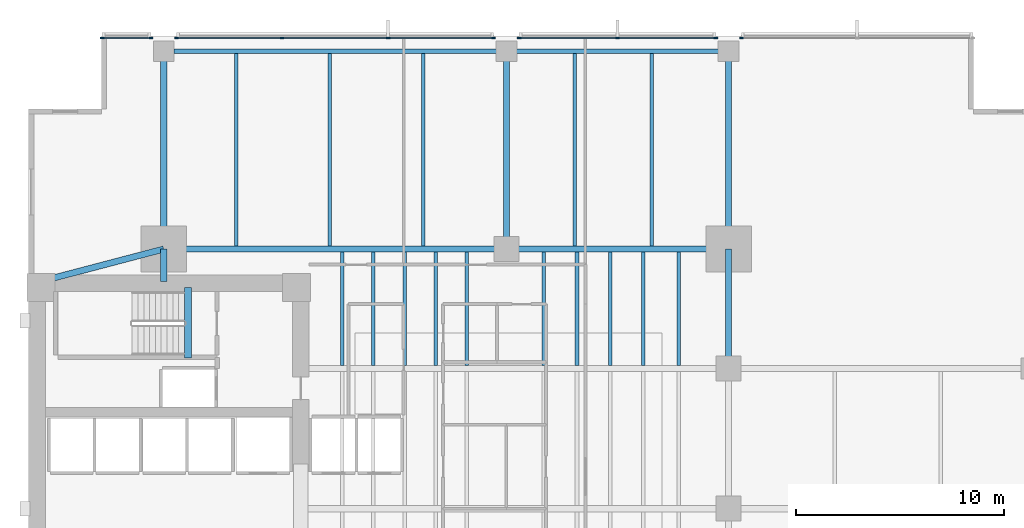
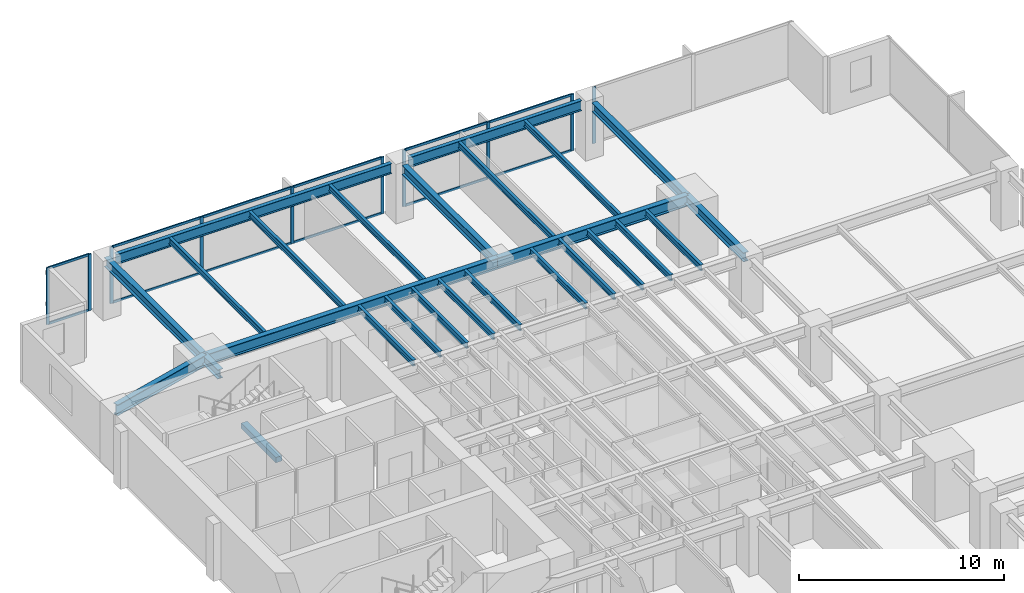
# One storey, part 5 of 15: 26 beams, 22 members, 4 elements without a shape of their own.
"""IFC4 building model written with IfcOpenShell, lengths in metres."""

from ifc_helpers import new_model, si_unit, direction, frame, origin, origin_2d, place, context, subcontext, project, spatial, rectangle, i_section, extrude, material, layer, layer_set, material_profile, profile_set, type_object, element, aggregate, save


model = new_model("IFC4")

# Units and contexts
model_context = context("Model", 3, precision=1e-05, world=origin(), true_north=direction((0.0, 1.0)))
body_context = subcontext(model_context, "Body", "Model", "MODEL_VIEW")
ifc_project = project(units=[si_unit("LENGTHUNIT", "METRE"), si_unit("AREAUNIT", "SQUARE_METRE"), si_unit("VOLUMEUNIT", "CUBIC_METRE"), si_unit("PLANEANGLEUNIT", "RADIAN"), si_unit("MASSUNIT", "GRAM", prefix="KILO")], contexts=[model_context])

# Site, building, storey
site_placement = place(None, origin())
site = spatial("IfcSite", under=ifc_project, at=site_placement, CompositionType="ELEMENT")
building_placement = place(site_placement, origin())
building = spatial("IfcBuilding", under=site, at=building_placement, Name="Kinhvarn Gate Tower", CompositionType="ELEMENT")
storey_placement = place(building_placement, frame((0.0, 0.0, 85.949951171875)))
storey = spatial("IfcBuildingStorey", under=building, at=storey_placement, Name="L22", CompositionType="ELEMENT", Elevation=85.949951171875)

# Beam
ifc_material_1 = material(Name="Concrete C50/60", Category="concrete")
ifc_material_profile_1 = material_profile(ifc_material_1, rectangle(XDim=0.340087890625, YDim=0.320068359375, at=origin_2d()), Name="RC 340x320")
ifc_profile_set_1 = profile_set([ifc_material_profile_1], Name="Concrete C50/60")
beam_type_1 = type_object("IfcBeamType", Name="BM-LND-500", PredefinedType="BEAM", material=ifc_profile_set_1)
beam_1_placement = place(storey_placement, frame((12.1650390625, 32.5, -0.159912109375), z_axis=(0.0, 1.0, 0.0), x_axis=(-1.0, 0.0, 0.0)))
element("IfcBeam", 1, at=beam_1_placement, inside=storey, type_object=beam_type_1, Name="Stair ST2 Landing Nosing Beam (L22)", PredefinedType="BEAM", context=body_context, shape_type="SweptSolid", body=[
    extrude(rectangle(XDim=0.340087890625, YDim=0.320068359375, at=origin_2d()), origin(), (0.0, 0.0, 1.0), 3.39990234375),
])

# Curtain wall, member
ifc_material_2 = material(Name="Anodised aluminium AW-6063", Category="aluminium")
ifc_layer = layer(ifc_material_2, 0.179931640625)
ifc_layer_set = layer_set([ifc_layer], Name="Anodised aluminium AW-6063")
curtain_wall_type = type_object("IfcCurtainWallType", Name="CW-SYS-2", PredefinedType="NOTDEFINED", material=ifc_layer_set)
curtain_wall_1_placement = place(storey_placement, origin())
curtain_wall_1 = element("IfcCurtainWall", 2, at=curtain_wall_1_placement, inside=storey, type_object=curtain_wall_type, Name="Curtain Wall CW2 (L22)", PredefinedType="NOTDEFINED")
ifc_material_profile_2 = material_profile(ifc_material_2, rectangle(XDim=0.070068359375, YDim=0.179931640625, at=origin_2d()), Name="ALU 70x180")
ifc_profile_set_2 = profile_set([ifc_material_profile_2], Name="Anodised aluminium AW-6063")
member_type_1 = type_object("IfcMemberType", Name="CW-MUL-180", PredefinedType="MULLION", material=ifc_profile_set_2)
member_1_placement = place(storey_placement, frame((38.81494140625, 47.909912109375, 0.0), z_axis=(0.0, 0.0, 1.0), x_axis=(0.0, -1.0, 0.0)))
member_1 = element("IfcMember", 3, at=member_1_placement, type_object=member_type_1, Name="CW2 mullion 3", PredefinedType="MULLION", context=body_context, shape_type="SweptSolid", body=[
    extrude(rectangle(XDim=0.070068359375, YDim=0.179931640625, at=origin_2d()), origin(), (0.0, 0.0, 1.0), 3.3701171875),
])
aggregate(curtain_wall_1, [member_1])

# Curtain wall, members
curtain_wall_2_placement = place(storey_placement, origin())
curtain_wall_2 = element("IfcCurtainWall", 4, at=curtain_wall_2_placement, inside=storey, type_object=curtain_wall_type, Name="Curtain Wall CW2 (L22)", PredefinedType="NOTDEFINED")
member_2_placement = place(storey_placement, frame((37.5849609375, 47.909912109375, 0.0), z_axis=(0.0, 0.0, 1.0), x_axis=(0.0, -1.0, 0.0)))
member_2 = element("IfcMember", 5, at=member_2_placement, type_object=member_type_1, Name="CW2 mullion 1", PredefinedType="MULLION", context=body_context, shape_type="SweptSolid", body=[
    extrude(rectangle(XDim=0.070068359375, YDim=0.179931640625, at=origin_2d()), origin(), (0.0, 0.0, 1.0), 3.3701171875),
])
member_3_placement = place(storey_placement, frame((32.85009765625, 47.909912109375, 0.0), z_axis=(0.0, 0.0, 1.0), x_axis=(0.0, -1.0, 0.0)))
member_3 = element("IfcMember", 6, at=member_3_placement, type_object=member_type_1, Name="CW2 mullion 2", PredefinedType="MULLION", context=body_context, shape_type="SweptSolid", body=[
    extrude(rectangle(XDim=0.070068359375, YDim=0.179931640625, at=origin_2d()), origin(), (0.0, 0.0, 1.0), 3.3701171875),
])
member_4_placement = place(storey_placement, frame((28.114990234375, 47.909912109375, 0.0), z_axis=(0.0, 0.0, 1.0), x_axis=(0.0, -1.0, 0.0)))
member_4 = element("IfcMember", 7, at=member_4_placement, type_object=member_type_1, Name="CW2 mullion 3", PredefinedType="MULLION", context=body_context, shape_type="SweptSolid", body=[
    extrude(rectangle(XDim=0.070068359375, YDim=0.179931640625, at=origin_2d()), origin(), (0.0, 0.0, 1.0), 3.3701171875),
])

curtain_wall_3_placement = place(storey_placement, origin())
curtain_wall_3 = element("IfcCurtainWall", 8, at=curtain_wall_3_placement, inside=storey, type_object=curtain_wall_type, Name="Curtain Wall CW2 (L22)", PredefinedType="NOTDEFINED")
member_5_placement = place(storey_placement, frame((26.885009765625, 47.909912109375, 0.0), z_axis=(0.0, 0.0, 1.0), x_axis=(0.0, -1.0, 0.0)))
member_5 = element("IfcMember", 9, at=member_5_placement, type_object=member_type_1, Name="CW2 mullion 1", PredefinedType="MULLION", context=body_context, shape_type="SweptSolid", body=[
    extrude(rectangle(XDim=0.070068359375, YDim=0.179931640625, at=origin_2d()), origin(), (0.0, 0.0, 1.0), 3.3701171875),
])
member_6_placement = place(storey_placement, frame((21.806640625, 47.909912109375, 0.0), z_axis=(0.0, 0.0, 1.0), x_axis=(0.0, -1.0, 0.0)))
member_6 = element("IfcMember", 10, at=member_6_placement, type_object=member_type_1, Name="CW2 mullion 2", PredefinedType="MULLION", context=body_context, shape_type="SweptSolid", body=[
    extrude(rectangle(XDim=0.070068359375, YDim=0.179931640625, at=origin_2d()), origin(), (0.0, 0.0, 1.0), 3.3701171875),
])
member_7_placement = place(storey_placement, frame((16.693359375, 47.909912109375, 0.0), z_axis=(0.0, 0.0, 1.0), x_axis=(0.0, -1.0, 0.0)))
member_7 = element("IfcMember", 11, at=member_7_placement, type_object=member_type_1, Name="CW2 mullion 3", PredefinedType="MULLION", context=body_context, shape_type="SweptSolid", body=[
    extrude(rectangle(XDim=0.070068359375, YDim=0.179931640625, at=origin_2d()), origin(), (0.0, 0.0, 1.0), 3.3701171875),
])
member_8_placement = place(storey_placement, frame((11.614990234375, 47.909912109375, 0.0), z_axis=(0.0, 0.0, 1.0), x_axis=(0.0, -1.0, 0.0)))
member_8 = element("IfcMember", 12, at=member_8_placement, type_object=member_type_1, Name="CW2 mullion 4", PredefinedType="MULLION", context=body_context, shape_type="SweptSolid", body=[
    extrude(rectangle(XDim=0.070068359375, YDim=0.179931640625, at=origin_2d()), origin(), (0.0, 0.0, 1.0), 3.3701171875),
])

curtain_wall_4_placement = place(storey_placement, origin())
curtain_wall_4 = element("IfcCurtainWall", 13, at=curtain_wall_4_placement, inside=storey, type_object=curtain_wall_type, Name="Curtain Wall CW2 (L22)", PredefinedType="NOTDEFINED")
member_9_placement = place(storey_placement, frame((10.385009765625, 47.909912109375, 0.0), z_axis=(0.0, 0.0, 1.0), x_axis=(0.0, -1.0, 0.0)))
member_9 = element("IfcMember", 14, at=member_9_placement, type_object=member_type_1, Name="CW2 mullion 1", PredefinedType="MULLION", context=body_context, shape_type="SweptSolid", body=[
    extrude(rectangle(XDim=0.070068359375, YDim=0.179931640625, at=origin_2d()), origin(), (0.0, 0.0, 1.0), 3.3701171875),
])
member_10_placement = place(storey_placement, frame((8.034912109375, 47.909912109375, 0.0), z_axis=(0.0, 0.0, 1.0), x_axis=(0.0, -1.0, 0.0)))
member_10 = element("IfcMember", 15, at=member_10_placement, type_object=member_type_1, Name="CW2 mullion 2", PredefinedType="MULLION", context=body_context, shape_type="SweptSolid", body=[
    extrude(rectangle(XDim=0.070068359375, YDim=0.179931640625, at=origin_2d()), origin(), (0.0, 0.0, 1.0), 3.3701171875),
])

# Member
ifc_material_profile_3 = material_profile(ifc_material_2, rectangle(XDim=0.070068359375, YDim=0.139892578125, at=origin_2d()), Name="ALU 70x140")
ifc_profile_set_3 = profile_set([ifc_material_profile_3], Name="Anodised aluminium AW-6063")
member_type_2 = type_object("IfcMemberType", Name="CW-TRN-140", PredefinedType="USERDEFINED", material=ifc_profile_set_3)
member_11_placement = place(storey_placement, frame((37.550048828125, 47.909912109375, 0.03515625), z_axis=(-1.0, 0.0, 0.0), x_axis=(0.0, -1.0, 0.0)))
member_11 = element("IfcMember", 16, at=member_11_placement, type_object=member_type_2, Name="CW2 transom 1.1", ObjectType="TRANSOM", PredefinedType="USERDEFINED", context=body_context, shape_type="SweptSolid", body=[
    extrude(rectangle(XDim=0.070068359375, YDim=0.139892578125, at=origin_2d()), origin(), (0.0, 0.0, 1.0), 4.6650390625),
])

member_12_placement = place(storey_placement, frame((37.550048828125, 47.909912109375, 3.3349609375), z_axis=(-1.0, 0.0, 0.0), x_axis=(0.0, -1.0, 0.0)))
member_12 = element("IfcMember", 17, at=member_12_placement, type_object=member_type_2, Name="CW2 transom 1.2", ObjectType="TRANSOM", PredefinedType="USERDEFINED", context=body_context, shape_type="SweptSolid", body=[
    extrude(rectangle(XDim=0.070068359375, YDim=0.139892578125, at=origin_2d()), origin(), (0.0, 0.0, 1.0), 4.6650390625),
])

member_13_placement = place(storey_placement, frame((32.81494140625, 47.909912109375, 0.03515625), z_axis=(-1.0, 0.0, 0.0), x_axis=(0.0, -1.0, 0.0)))
member_13 = element("IfcMember", 18, at=member_13_placement, type_object=member_type_2, Name="CW2 transom 2.1", ObjectType="TRANSOM", PredefinedType="USERDEFINED", context=body_context, shape_type="SweptSolid", body=[
    extrude(rectangle(XDim=0.070068359375, YDim=0.139892578125, at=origin_2d()), origin(), (0.0, 0.0, 1.0), 4.6650390625),
])

member_14_placement = place(storey_placement, frame((32.81494140625, 47.909912109375, 3.3349609375), z_axis=(-1.0, 0.0, 0.0), x_axis=(0.0, -1.0, 0.0)))
member_14 = element("IfcMember", 19, at=member_14_placement, type_object=member_type_2, Name="CW2 transom 2.2", ObjectType="TRANSOM", PredefinedType="USERDEFINED", context=body_context, shape_type="SweptSolid", body=[
    extrude(rectangle(XDim=0.070068359375, YDim=0.139892578125, at=origin_2d()), origin(), (0.0, 0.0, 1.0), 4.6650390625),
])

aggregate(curtain_wall_2, [member_2, member_3, member_4, member_11, member_12, member_13, member_14])

member_15_placement = place(storey_placement, frame((26.85009765625, 47.909912109375, 0.03515625), z_axis=(-1.0, 0.0, 0.0), x_axis=(0.0, -1.0, 0.0)))
member_15 = element("IfcMember", 20, at=member_15_placement, type_object=member_type_2, Name="CW2 transom 1.1", ObjectType="TRANSOM", PredefinedType="USERDEFINED", context=body_context, shape_type="SweptSolid", body=[
    extrude(rectangle(XDim=0.070068359375, YDim=0.139892578125, at=origin_2d()), origin(), (0.0, 0.0, 1.0), 5.008544921875),
])

member_16_placement = place(storey_placement, frame((26.85009765625, 47.909912109375, 3.3349609375), z_axis=(-1.0, 0.0, 0.0), x_axis=(0.0, -1.0, 0.0)))
member_16 = element("IfcMember", 21, at=member_16_placement, type_object=member_type_2, Name="CW2 transom 1.2", ObjectType="TRANSOM", PredefinedType="USERDEFINED", context=body_context, shape_type="SweptSolid", body=[
    extrude(rectangle(XDim=0.070068359375, YDim=0.139892578125, at=origin_2d()), origin(), (0.0, 0.0, 1.0), 5.008544921875),
])

member_17_placement = place(storey_placement, frame((21.771728515625, 47.909912109375, 0.03515625), z_axis=(-1.0, 0.0, 0.0), x_axis=(0.0, -1.0, 0.0)))
member_17 = element("IfcMember", 22, at=member_17_placement, type_object=member_type_2, Name="CW2 transom 2.1", ObjectType="TRANSOM", PredefinedType="USERDEFINED", context=body_context, shape_type="SweptSolid", body=[
    extrude(rectangle(XDim=0.070068359375, YDim=0.139892578125, at=origin_2d()), origin(), (0.0, 0.0, 1.0), 5.04345703125),
])

member_18_placement = place(storey_placement, frame((21.771728515625, 47.909912109375, 3.3349609375), z_axis=(-1.0, 0.0, 0.0), x_axis=(0.0, -1.0, 0.0)))
member_18 = element("IfcMember", 23, at=member_18_placement, type_object=member_type_2, Name="CW2 transom 2.2", ObjectType="TRANSOM", PredefinedType="USERDEFINED", context=body_context, shape_type="SweptSolid", body=[
    extrude(rectangle(XDim=0.070068359375, YDim=0.139892578125, at=origin_2d()), origin(), (0.0, 0.0, 1.0), 5.04345703125),
])

member_19_placement = place(storey_placement, frame((16.658447265625, 47.909912109375, 0.03515625), z_axis=(-1.0, 0.0, 0.0), x_axis=(0.0, -1.0, 0.0)))
member_19 = element("IfcMember", 24, at=member_19_placement, type_object=member_type_2, Name="CW2 transom 3.1", ObjectType="TRANSOM", PredefinedType="USERDEFINED", context=body_context, shape_type="SweptSolid", body=[
    extrude(rectangle(XDim=0.070068359375, YDim=0.139892578125, at=origin_2d()), origin(), (0.0, 0.0, 1.0), 5.008544921875),
])

member_20_placement = place(storey_placement, frame((16.658447265625, 47.909912109375, 3.3349609375), z_axis=(-1.0, 0.0, 0.0), x_axis=(0.0, -1.0, 0.0)))
member_20 = element("IfcMember", 25, at=member_20_placement, type_object=member_type_2, Name="CW2 transom 3.2", ObjectType="TRANSOM", PredefinedType="USERDEFINED", context=body_context, shape_type="SweptSolid", body=[
    extrude(rectangle(XDim=0.070068359375, YDim=0.139892578125, at=origin_2d()), origin(), (0.0, 0.0, 1.0), 5.008544921875),
])

aggregate(curtain_wall_3, [member_5, member_6, member_7, member_8, member_15, member_16, member_17, member_18, member_19, member_20])

member_21_placement = place(storey_placement, frame((10.35009765625, 47.909912109375, 0.03515625), z_axis=(-1.0, 0.0, 0.0), x_axis=(0.0, -1.0, 0.0)))
member_21 = element("IfcMember", 26, at=member_21_placement, type_object=member_type_2, Name="CW2 transom 1.1", ObjectType="TRANSOM", PredefinedType="USERDEFINED", context=body_context, shape_type="SweptSolid", body=[
    extrude(rectangle(XDim=0.070068359375, YDim=0.139892578125, at=origin_2d()), origin(), (0.0, 0.0, 1.0), 2.280029296875),
])

member_22_placement = place(storey_placement, frame((10.35009765625, 47.909912109375, 3.3349609375), z_axis=(-1.0, 0.0, 0.0), x_axis=(0.0, -1.0, 0.0)))
member_22 = element("IfcMember", 27, at=member_22_placement, type_object=member_type_2, Name="CW2 transom 1.2", ObjectType="TRANSOM", PredefinedType="USERDEFINED", context=body_context, shape_type="SweptSolid", body=[
    extrude(rectangle(XDim=0.070068359375, YDim=0.139892578125, at=origin_2d()), origin(), (0.0, 0.0, 1.0), 2.280029296875),
])

aggregate(curtain_wall_4, [member_9, member_10, member_21, member_22])

# Beams
ifc_material_3 = material(Name="Steel S355", Category="steel")
ifc_material_profile_4 = material_profile(ifc_material_3, i_section(OverallWidth=0.300048828125, OverallDepth=0.550048828125, WebThickness=0.014892578125, FlangeThickness=0.029052734375, at=origin_2d()), Name="HEB 550")
ifc_profile_set_4 = profile_set([ifc_material_profile_4], Name="Steel S355")
beam_type_2 = type_object("IfcBeamType", Name="STL-HEB550", PredefinedType="BEAM", material=ifc_profile_set_4)
beam_2_placement = place(storey_placement, frame((11.0, 36.199951171875, 3.094970703125), z_axis=(0.0, 1.0, 0.0), x_axis=(-1.0, 0.0, 0.0)))
element("IfcBeam", 28, at=beam_2_placement, inside=storey, type_object=beam_type_2, Name="Floor Beam PG-15 (L22 MCW-CN)", PredefinedType="BEAM", context=body_context, shape_type="SweptSolid", body=[
    extrude(i_section(OverallWidth=0.300048828125, OverallDepth=0.550048828125, WebThickness=0.014892578125, FlangeThickness=0.029052734375, at=origin_2d()), origin(), (0.0, 0.0, 1.0), 1.550048828125),
])
beam_3_placement = place(storey_placement, frame((11.0, 37.75, 3.094970703125), z_axis=(0.0, 1.0, 0.0), x_axis=(-1.0, 0.0, 0.0)))
element("IfcBeam", 29, at=beam_3_placement, inside=storey, type_object=beam_type_2, Name="Floor Beam PG-15 (L22 MCW-N)", PredefinedType="BEAM", context=body_context, shape_type="SweptSolid", body=[
    extrude(i_section(OverallWidth=0.300048828125, OverallDepth=0.550048828125, WebThickness=0.014892578125, FlangeThickness=0.029052734375, at=origin_2d()), origin(), (0.0, 0.0, 1.0), 9.530029296875),
])
for number, where, z_axis, x_axis, name in (
    (30, (27.5, 37.75, 3.094970703125), (0.0, 1.0, 0.0), (-1.0, 0.0, 0.0), "Floor Beam PG-15 (L22 SP27-N-TIE)"),
    (31, (38.199951171875, 37.75, 3.094970703125), (0.0, 1.0, 0.0), (-1.0, 0.0, 0.0), "Floor Beam PG-15 (L22 MCE-N)"),
):
    element("IfcBeam", number, at=place(storey_placement, frame(where, z_axis=z_axis, x_axis=x_axis)), inside=storey, type_object=beam_type_2, Name=name, PredefinedType="BEAM", context=body_context, shape_type="SweptSolid", body=[
        extrude(i_section(OverallWidth=0.300048828125, OverallDepth=0.550048828125, WebThickness=0.014892578125, FlangeThickness=0.029052734375, at=origin_2d()), origin(), (0.0, 0.0, 1.0), 9.044921875),
    ])
beam_4_placement = place(storey_placement, frame((38.199951171875, 32.0, 3.094970703125), z_axis=(0.0, 1.0, 0.0), x_axis=(-1.0, 0.0, 0.0)))
element("IfcBeam", 32, at=beam_4_placement, inside=storey, type_object=beam_type_2, Name="Floor Beam PG-15 (L22 MG-E-32)", PredefinedType="BEAM", context=body_context, shape_type="SweptSolid", body=[
    extrude(i_section(OverallWidth=0.300048828125, OverallDepth=0.550048828125, WebThickness=0.014892578125, FlangeThickness=0.029052734375, at=origin_2d()), origin(), (0.0, 0.0, 1.0), 5.75),
])
ifc_material_profile_5 = material_profile(ifc_material_3, i_section(OverallWidth=0.300048828125, OverallDepth=0.64990234375, WebThickness=0.01611328125, FlangeThickness=0.031005859375, at=origin_2d()), Name="HEB 650")
ifc_profile_set_5 = profile_set([ifc_material_profile_5], Name="Steel S355")
beam_type_3 = type_object("IfcBeamType", Name="STL-HEB650", PredefinedType="BEAM", material=ifc_profile_set_5)
beam_5_placement = place(storey_placement, frame((11.0, 37.75, 3.045166015625), z_axis=(1.0, 0.0, 0.0), x_axis=(0.0, 1.0, 0.0)))
element("IfcBeam", 33, at=beam_5_placement, inside=storey, type_object=beam_type_3, Name="Floor Beam PG-17 (L22 MG-N1)", PredefinedType="BEAM", context=body_context, shape_type="SweptSolid", body=[
    extrude(i_section(OverallWidth=0.300048828125, OverallDepth=0.64990234375, WebThickness=0.01611328125, FlangeThickness=0.031005859375, at=origin_2d()), origin(), (0.0, 0.0, 1.0), 16.5),
])
beam_6_placement = place(storey_placement, frame((27.5, 37.75, 3.045166015625), z_axis=(1.0, 0.0, 0.0), x_axis=(0.0, 1.0, 0.0)))
element("IfcBeam", 34, at=beam_6_placement, inside=storey, type_object=beam_type_3, Name="Floor Beam PG-17 (L22 MG-N2)", PredefinedType="BEAM", context=body_context, shape_type="SweptSolid", body=[
    extrude(i_section(OverallWidth=0.300048828125, OverallDepth=0.64990234375, WebThickness=0.01611328125, FlangeThickness=0.031005859375, at=origin_2d()), origin(), (0.0, 0.0, 1.0), 10.699951171875),
])
beam_7_placement = place(storey_placement, frame((5.10009765625, 36.199951171875, 3.045166015625), z_axis=(0.967177623957, 0.254101246979, 0.0), x_axis=(-0.254101246979, 0.967177623957, 0.0)))
element("IfcBeam", 35, at=beam_7_placement, inside=storey, type_object=beam_type_3, Name="Floor Beam PG-17 (L22 MG-NW-DIAG)", PredefinedType="BEAM", context=body_context, shape_type="SweptSolid", body=[
    extrude(i_section(OverallWidth=0.300048828125, OverallDepth=0.64990234375, WebThickness=0.01611328125, FlangeThickness=0.031005859375, at=origin_2d()), origin(), (0.0, 0.0, 1.0), 6.10009765625),
])
ifc_material_profile_6 = material_profile(ifc_material_3, i_section(OverallWidth=0.169921875, OverallDepth=0.360107421875, WebThickness=0.008056640625, FlangeThickness=0.0126953125, at=origin_2d()), Name="IPE 360")
ifc_profile_set_6 = profile_set([ifc_material_profile_6], Name="Steel S355")
beam_type_4 = type_object("IfcBeamType", Name="STL-IPE360", PredefinedType="JOIST", material=ifc_profile_set_6)
for number, where, z_axis, x_axis, name in (
    (36, (19.60009765625, 32.14990234375, 3.18994140625), (0.0, 1.0, 0.0), (-1.0, 0.0, 0.0), "Floor Joist SB-04 (L22 JC-X196-3)"),
    (37, (21.10009765625, 32.14990234375, 3.18994140625), (0.0, 1.0, 0.0), (-1.0, 0.0, 0.0), "Floor Joist SB-04 (L22 JC-X211-3)"),
    (38, (22.60009765625, 32.14990234375, 3.18994140625), (0.0, 1.0, 0.0), (-1.0, 0.0, 0.0), "Floor Joist SB-04 (L22 JC-X226-3)"),
    (39, (24.10009765625, 32.14990234375, 3.18994140625), (0.0, 1.0, 0.0), (-1.0, 0.0, 0.0), "Floor Joist SB-04 (L22 JC-X241-3)"),
    (40, (25.60009765625, 32.14990234375, 3.18994140625), (0.0, 1.0, 0.0), (-1.0, 0.0, 0.0), "Floor Joist SB-04 (L22 JC-X256-3)"),
    (41, (29.300048828125, 32.14990234375, 3.18994140625), (0.0, 1.0, 0.0), (-1.0, 0.0, 0.0), "Floor Joist SB-04 (L22 JC-X293-3)"),
    (42, (30.89990234375, 32.14990234375, 3.18994140625), (0.0, 1.0, 0.0), (-1.0, 0.0, 0.0), "Floor Joist SB-04 (L22 JC-X309-3)"),
    (43, (32.5, 32.14990234375, 3.18994140625), (0.0, 1.0, 0.0), (-1.0, 0.0, 0.0), "Floor Joist SB-04 (L22 JC-X325-3)"),
    (44, (34.10009765625, 32.14990234375, 3.18994140625), (0.0, 1.0, 0.0), (-1.0, 0.0, 0.0), "Floor Joist SB-04 (L22 JC-X341-3)"),
    (45, (35.800048828125, 32.14990234375, 3.18994140625), (0.0, 1.0, 0.0), (-1.0, 0.0, 0.0), "Floor Joist SB-04 (L22 JC-X358-3)"),
):
    element("IfcBeam", number, at=place(storey_placement, frame(where, z_axis=z_axis, x_axis=x_axis)), inside=storey, type_object=beam_type_4, Name=name, PredefinedType="JOIST", context=body_context, shape_type="SweptSolid", body=[
        extrude(i_section(OverallWidth=0.169921875, OverallDepth=0.360107421875, WebThickness=0.008056640625, FlangeThickness=0.0126953125, at=origin_2d()), origin(), (0.0, 0.0, 1.0), 5.4501953125),
    ])
for number, where, z_axis, x_axis, name in (
    (46, (14.5, 37.89990234375, 3.18994140625), (0.0, 1.0, 0.0), (-1.0, 0.0, 0.0), "Floor Joist SB-04 (L22 JN-X145)"),
    (47, (19.0, 37.89990234375, 3.18994140625), (0.0, 1.0, 0.0), (-1.0, 0.0, 0.0), "Floor Joist SB-04 (L22 JN-X190)"),
    (48, (23.5, 37.89990234375, 3.18994140625), (0.0, 1.0, 0.0), (-1.0, 0.0, 0.0), "Floor Joist SB-04 (L22 JN-X235)"),
    (49, (30.800048828125, 37.89990234375, 3.18994140625), (0.0, 1.0, 0.0), (-1.0, 0.0, 0.0), "Floor Joist SB-04 (L22 JN-X308)"),
    (50, (34.5, 37.89990234375, 3.18994140625), (0.0, 1.0, 0.0), (-1.0, 0.0, 0.0), "Floor Joist SB-04 (L22 JN-X345)"),
):
    element("IfcBeam", number, at=place(storey_placement, frame(where, z_axis=z_axis, x_axis=x_axis)), inside=storey, type_object=beam_type_4, Name=name, PredefinedType="JOIST", context=body_context, shape_type="SweptSolid", body=[
        extrude(i_section(OverallWidth=0.169921875, OverallDepth=0.360107421875, WebThickness=0.008056640625, FlangeThickness=0.0126953125, at=origin_2d()), origin(), (0.0, 0.0, 1.0), 9.27001953125),
    ])
ifc_material_profile_7 = material_profile(ifc_material_3, i_section(OverallWidth=0.219970703125, OverallDepth=0.60009765625, WebThickness=0.011962890625, FlangeThickness=0.01904296875, at=origin_2d()), Name="IPE 600")
ifc_profile_set_7 = profile_set([ifc_material_profile_7], Name="Steel S355")
beam_type_5 = type_object("IfcBeamType", Name="STL-IPE600", PredefinedType="SPANDREL", material=ifc_profile_set_7)
beam_8_placement = place(storey_placement, frame((11.485107421875, 47.280029296875, 3.070068359375), z_axis=(1.0, 0.0, 0.0), x_axis=(0.0, 1.0, 0.0)))
element("IfcBeam", 51, at=beam_8_placement, inside=storey, type_object=beam_type_5, Name="Floor Spandrel SB-09 (L22 SP-N1)", PredefinedType="SPANDREL", context=body_context, shape_type="SweptSolid", body=[
    extrude(i_section(OverallWidth=0.219970703125, OverallDepth=0.60009765625, WebThickness=0.011962890625, FlangeThickness=0.01904296875, at=origin_2d()), origin(), (0.0, 0.0, 1.0), 15.52978515625),
])
beam_9_placement = place(storey_placement, frame((27.985107421875, 47.280029296875, 3.070068359375), z_axis=(1.0, 0.0, 0.0), x_axis=(0.0, 1.0, 0.0)))
element("IfcBeam", 52, at=beam_9_placement, inside=storey, type_object=beam_type_5, Name="Floor Spandrel SB-09 (L22 SP-N2)", PredefinedType="SPANDREL", context=body_context, shape_type="SweptSolid", body=[
    extrude(i_section(OverallWidth=0.219970703125, OverallDepth=0.60009765625, WebThickness=0.011962890625, FlangeThickness=0.01904296875, at=origin_2d()), origin(), (0.0, 0.0, 1.0), 9.72998046875),
])

save(model, "model.ifc")
